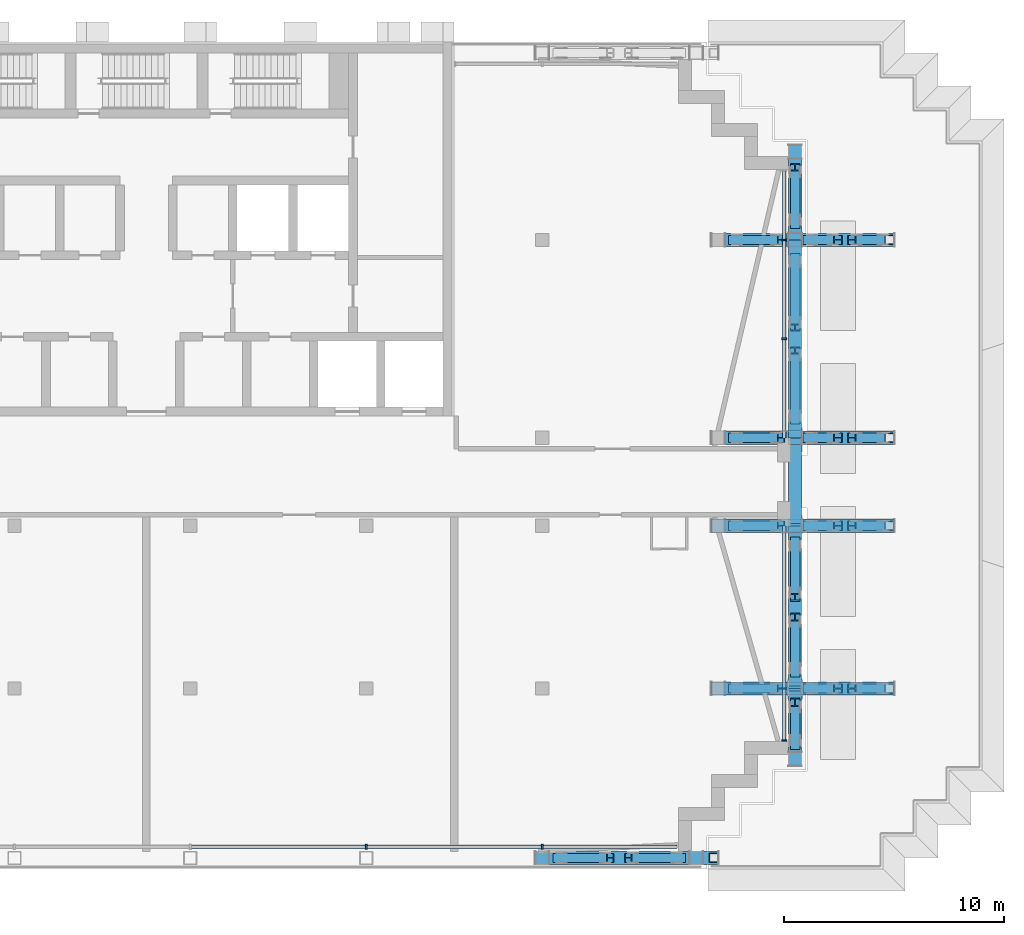
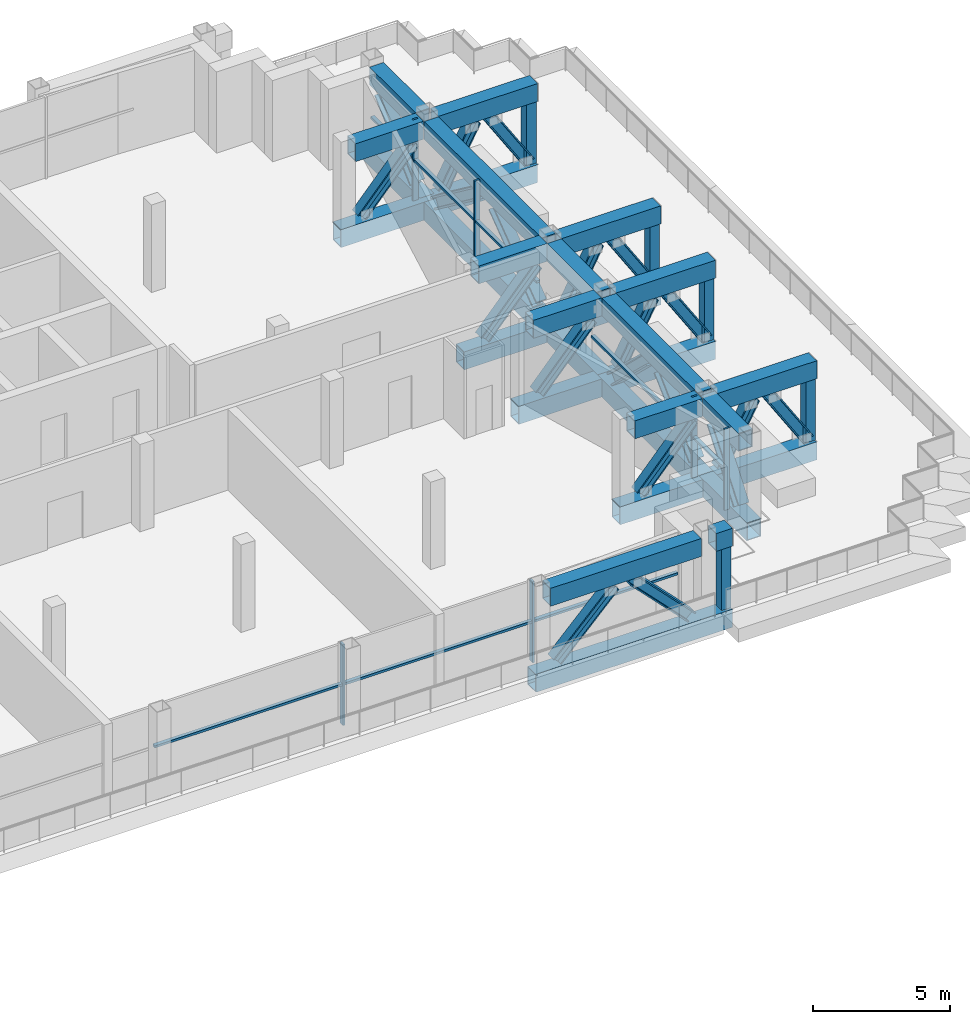
# One storey, part 3 of 21: 64 members, 3 elements without a shape of their own.
"""IFC4 building model written with IfcOpenShell, lengths in metres."""

from ifc_helpers import new_model, si_unit, direction, frame, origin, origin_2d, place, context, subcontext, project, spatial, rectangle, hollow_rectangle, i_section, extrude, material, material_profile, profile_set, type_object, element, aggregate, save


model = new_model("IFC4")

# Units and contexts
model_context = context("Model", 3, precision=1e-05, world=origin(), true_north=direction((0.0, 1.0)))
body_context = subcontext(model_context, "Body", "Model", "MODEL_VIEW")
ifc_project = project(units=[si_unit("LENGTHUNIT", "METRE"), si_unit("AREAUNIT", "SQUARE_METRE"), si_unit("VOLUMEUNIT", "CUBIC_METRE"), si_unit("PLANEANGLEUNIT", "RADIAN"), si_unit("MASSUNIT", "GRAM", prefix="KILO")], contexts=[model_context])

# Site, building, storey
site_placement = place(None, origin())
site = spatial("IfcSite", under=ifc_project, at=site_placement, CompositionType="ELEMENT")
building_placement = place(site_placement, origin())
building = spatial("IfcBuilding", under=site, at=building_placement, Name="Vidyagriha Tower", CompositionType="ELEMENT")
storey_placement = place(building_placement, frame((0.0, 0.0, 203.699951171875)))
storey = spatial("IfcBuildingStorey", under=building, at=storey_placement, Name="L52", CompositionType="ELEMENT", Elevation=203.699951171875)

# Members
ifc_material_1 = material(Name="Steel ASTM A572 Grade 50", Category="steel")
ifc_material_profile_1 = material_profile(ifc_material_1, hollow_rectangle(XDim=0.60009765625, YDim=0.800048828125, WallThickness=0.034912109375, at=origin_2d()), Name="BOX 800x600x35")
ifc_profile_set_1 = profile_set([ifc_material_profile_1], Name="Steel ASTM A572 Grade 50")
member_type_1 = type_object("IfcMemberType", Name="Belt truss chord BOX 800x600x35", PredefinedType="CHORD", material=ifc_profile_set_1)
member_1_placement = place(storey_placement, frame((29.5, -12.89990234375, -0.39990234375), z_axis=(0.0, 1.0, 0.0), x_axis=(-1.0, 0.0, 0.0)))
element("IfcMember", 1, at=member_1_placement, inside=storey, type_object=member_type_1, Name="st-truss-L52-B08-B00", PredefinedType="CHORD", context=body_context, shape_type="SweptSolid", body=[
    extrude(hollow_rectangle(XDim=0.60009765625, YDim=0.800048828125, WallThickness=0.034912109375, at=origin_2d()), origin(), (0.0, 0.0, 1.0), 3.5),
])
member_2_placement = place(storey_placement, frame((29.5, -12.280517578125, 3.219970703125), z_axis=(0.0, 1.0, 0.0), x_axis=(-1.0, 0.0, 0.0)))
element("IfcMember", 2, at=member_2_placement, inside=storey, type_object=member_type_1, Name="st-truss-L52-B08-T00", PredefinedType="CHORD", context=body_context, shape_type="SweptSolid", body=[
    extrude(hollow_rectangle(XDim=0.60009765625, YDim=0.800048828125, WallThickness=0.034912109375, at=origin_2d()), origin(), (0.0, 0.0, 1.0), 2.775634765625),
])
member_3_placement = place(storey_placement, frame((29.5, -9.39990234375, -0.39990234375), z_axis=(0.0, 1.0, 0.0), x_axis=(-1.0, 0.0, 0.0)))
element("IfcMember", 3, at=member_3_placement, inside=storey, type_object=member_type_1, Name="st-truss-L52-B08-B01", PredefinedType="CHORD", context=body_context, shape_type="SweptSolid", body=[
    extrude(hollow_rectangle(XDim=0.60009765625, YDim=0.800048828125, WallThickness=0.034912109375, at=origin_2d()), origin(), (0.0, 0.0, 1.0), 7.39990234375),
])
member_4_placement = place(storey_placement, frame((29.5, -9.294921875, 3.219970703125), z_axis=(0.0, 1.0, 0.0), x_axis=(-1.0, 0.0, 0.0)))
element("IfcMember", 4, at=member_4_placement, inside=storey, type_object=member_type_1, Name="st-truss-L52-B08-T01", PredefinedType="CHORD", context=body_context, shape_type="SweptSolid", body=[
    extrude(hollow_rectangle(XDim=0.60009765625, YDim=0.800048828125, WallThickness=0.034912109375, at=origin_2d()), origin(), (0.0, 0.0, 1.0), 6.975830078125),
])
member_5_placement = place(storey_placement, frame((29.5, -2.0, -0.39990234375), z_axis=(0.0, 1.0, 0.0), x_axis=(-1.0, 0.0, 0.0)))
element("IfcMember", 5, at=member_5_placement, inside=storey, type_object=member_type_1, Name="st-truss-L52-B08-B02", PredefinedType="CHORD", context=body_context, shape_type="SweptSolid", body=[
    extrude(hollow_rectangle(XDim=0.60009765625, YDim=0.800048828125, WallThickness=0.034912109375, at=origin_2d()), origin(), (0.0, 0.0, 1.0), 4.0),
])
member_6_placement = place(storey_placement, frame((29.5, -1.89501953125, 3.219970703125), z_axis=(0.0, 1.0, 0.0), x_axis=(-1.0, 0.0, 0.0)))
element("IfcMember", 6, at=member_6_placement, inside=storey, type_object=member_type_1, Name="st-truss-L52-B08-T02", PredefinedType="CHORD", context=body_context, shape_type="SweptSolid", body=[
    extrude(hollow_rectangle(XDim=0.60009765625, YDim=0.800048828125, WallThickness=0.034912109375, at=origin_2d()), origin(), (0.0, 0.0, 1.0), 3.594970703125),
])
member_7_placement = place(storey_placement, frame((29.5, 2.0, -0.39990234375), z_axis=(0.0, 1.0, 0.0), x_axis=(-1.0, 0.0, 0.0)))
element("IfcMember", 7, at=member_7_placement, inside=storey, type_object=member_type_1, Name="st-truss-L52-B08-B03", PredefinedType="CHORD", context=body_context, shape_type="SweptSolid", body=[
    extrude(hollow_rectangle(XDim=0.60009765625, YDim=0.800048828125, WallThickness=0.034912109375, at=origin_2d()), origin(), (0.0, 0.0, 1.0), 9.0),
])
member_8_placement = place(storey_placement, frame((29.5, 2.10498046875, 3.219970703125), z_axis=(0.0, 1.0, 0.0), x_axis=(-1.0, 0.0, 0.0)))
element("IfcMember", 8, at=member_8_placement, inside=storey, type_object=member_type_1, Name="st-truss-L52-B08-T03", PredefinedType="CHORD", context=body_context, shape_type="SweptSolid", body=[
    extrude(hollow_rectangle(XDim=0.60009765625, YDim=0.800048828125, WallThickness=0.034912109375, at=origin_2d()), origin(), (0.0, 0.0, 1.0), 8.575927734375),
])
member_9_placement = place(storey_placement, frame((29.5, 11.0, -0.39990234375), z_axis=(0.0, 1.0, 0.0), x_axis=(-1.0, 0.0, 0.0)))
element("IfcMember", 9, at=member_9_placement, inside=storey, type_object=member_type_1, Name="st-truss-L52-B08-B04", PredefinedType="CHORD", context=body_context, shape_type="SweptSolid", body=[
    extrude(hollow_rectangle(XDim=0.60009765625, YDim=0.800048828125, WallThickness=0.034912109375, at=origin_2d()), origin(), (0.0, 0.0, 1.0), 4.300048828125),
])
member_10_placement = place(storey_placement, frame((29.5, 11.319580078125, 3.219970703125), z_axis=(0.0, 1.0, 0.0), x_axis=(-1.0, 0.0, 0.0)))
element("IfcMember", 10, at=member_10_placement, inside=storey, type_object=member_type_1, Name="st-truss-L52-B08-T04", PredefinedType="CHORD", context=body_context, shape_type="SweptSolid", body=[
    extrude(hollow_rectangle(XDim=0.60009765625, YDim=0.800048828125, WallThickness=0.034912109375, at=origin_2d()), origin(), (0.0, 0.0, 1.0), 3.36083984375),
])
ifc_material_2 = material(Name="Steel ASTM A913 Grade 65", Category="steel")
ifc_material_profile_2 = material_profile(ifc_material_2, i_section(OverallWidth=0.43701171875, OverallDepth=0.51318359375, WebThickness=0.046142578125, FlangeThickness=0.071533203125, at=origin_2d()), Name="W14X550")
ifc_profile_set_2 = profile_set([ifc_material_profile_2], Name="Steel ASTM A913 Grade 65")
member_type_2 = type_object("IfcMemberType", Name="Belt truss diagonal W14X550", PredefinedType="BRACE", material=ifc_profile_set_2)
member_11_placement = place(storey_placement, frame((29.5, -11.976806640625, 0.157958984375), z_axis=(0.0, 0.615068117904, 0.788473975688), x_axis=(-1.0, 0.0, 0.0)))
element("IfcMember", 11, at=member_11_placement, inside=storey, type_object=member_type_2, Name="st-truss-L52-B08-D000", PredefinedType="BRACE", context=body_context, shape_type="SweptSolid", body=[
    extrude(i_section(OverallWidth=0.43701171875, OverallDepth=0.51318359375, WebThickness=0.046142578125, FlangeThickness=0.071533203125, at=origin_2d()), origin(), (0.0, 0.0, 1.0), 3.17626953125),
])
for number, where, z_axis, x_axis, name in (
    (12, (29.5, -8.7060546875, 0.185546875), (0.0, 0.72287369809, 0.690980185396), (-1.0, 0.0, 0.0), "st-truss-L52-B08-D010"),
    (13, (29.5, -5.256103515625, 2.634521484375), (0.0, 0.72287369809, -0.690980185396), (-1.0, 0.0, 0.0), "st-truss-L52-B08-D011"),
):
    element("IfcMember", number, at=place(storey_placement, frame(where, z_axis=z_axis, x_axis=x_axis)), inside=storey, type_object=member_type_2, Name=name, PredefinedType="BRACE", context=body_context, shape_type="SweptSolid", body=[
        extrude(i_section(OverallWidth=0.43701171875, OverallDepth=0.51318359375, WebThickness=0.046142578125, FlangeThickness=0.071533203125, at=origin_2d()), origin(), (0.0, 0.0, 1.0), 3.544189453125),
    ])
for number, where, z_axis, x_axis, name in (
    (14, (29.5, 2.772705078125, 0.205078125), (0.0, 0.799224829468, 0.601032172153), (-1.0, 0.0, 0.0), "st-truss-L52-B08-D030"),
    (15, (29.5, 7.022705078125, 2.614990234375), (0.0, 0.799224829468, -0.601032172153), (-1.0, 0.0, 0.0), "st-truss-L52-B08-D031"),
):
    element("IfcMember", number, at=place(storey_placement, frame(where, z_axis=z_axis, x_axis=x_axis)), inside=storey, type_object=member_type_2, Name=name, PredefinedType="BRACE", context=body_context, shape_type="SweptSolid", body=[
        extrude(i_section(OverallWidth=0.43701171875, OverallDepth=0.51318359375, WebThickness=0.046142578125, FlangeThickness=0.071533203125, at=origin_2d()), origin(), (0.0, 0.0, 1.0), 4.009521484375),
    ])
member_12_placement = place(storey_placement, frame((29.5, 11.698974609375, 0.18701171875), z_axis=(0.0, 0.728611292967, 0.684927429558), x_axis=(-1.0, 0.0, 0.0)))
element("IfcMember", 16, at=member_12_placement, inside=storey, type_object=member_type_2, Name="st-truss-L52-B08-D040", PredefinedType="BRACE", context=body_context, shape_type="SweptSolid", body=[
    extrude(i_section(OverallWidth=0.43701171875, OverallDepth=0.51318359375, WebThickness=0.046142578125, FlangeThickness=0.071533203125, at=origin_2d()), origin(), (0.0, 0.0, 1.0), 3.5712890625),
])

# Curtain wall, members
ifc_material_3 = material(Name="Aluminium and glass curtain wall", Category="aluminium")
curtain_wall_type = type_object("IfcCurtainWallType", Name="Plant louvre wall", PredefinedType="USERDEFINED", material=ifc_material_3)
curtain_wall_1_placement = place(storey_placement, origin())
curtain_wall_1 = element("IfcCurtainWall", 17, at=curtain_wall_1_placement, inside=storey, type_object=curtain_wall_type, Name="CW7 plant louvre wall", ObjectType="STICK GLAZING", PredefinedType="USERDEFINED")
ifc_material_4 = material(Name="Aluminium black anodised", Category="aluminium")
ifc_material_profile_3 = material_profile(ifc_material_4, rectangle(XDim=0.219970703125, YDim=0.080078125, at=origin_2d()), Name="Mullion 80x220 black aluminium")
ifc_profile_set_3 = profile_set([ifc_material_profile_3], Name="Aluminium black anodised")
member_type_3 = type_object("IfcMemberType", Name="Mullion 80x220 black aluminium", PredefinedType="MULLION", material=ifc_profile_set_3)
member_13_placement = place(storey_placement, frame((10.0, -16.60009765625, 0.0), z_axis=(0.0, 0.0, 1.0), x_axis=(0.0, 1.0, 0.0)))
member_13 = element("IfcMember", 18, at=member_13_placement, type_object=member_type_3, Name="CW7 mullion 6", PredefinedType="MULLION", context=body_context, shape_type="SweptSolid", body=[
    extrude(rectangle(XDim=0.219970703125, YDim=0.080078125, at=origin_2d()), origin(), (0.0, 0.0, 1.0), 3.6201171875),
])
member_14_placement = place(storey_placement, frame((18.0, -16.60009765625, 0.0), z_axis=(0.0, 0.0, 1.0), x_axis=(0.0, 1.0, 0.0)))
member_14 = element("IfcMember", 19, at=member_14_placement, type_object=member_type_3, Name="CW7 mullion 7", PredefinedType="MULLION", context=body_context, shape_type="SweptSolid", body=[
    extrude(rectangle(XDim=0.219970703125, YDim=0.080078125, at=origin_2d()), origin(), (0.0, 0.0, 1.0), 3.6201171875),
])

curtain_wall_2_placement = place(storey_placement, origin())
curtain_wall_2 = element("IfcCurtainWall", 20, at=curtain_wall_2_placement, inside=storey, type_object=curtain_wall_type, Name="CW7 plant louvre wall", ObjectType="STICK GLAZING", PredefinedType="USERDEFINED")
member_15_placement = place(storey_placement, frame((29.0, -11.760009765625, 0.0), z_axis=(0.0, 0.0, 1.0), x_axis=(-1.0, 0.0, 0.0)))
member_15 = element("IfcMember", 21, at=member_15_placement, type_object=member_type_3, Name="CW7 mullion 1", PredefinedType="MULLION", context=body_context, shape_type="SweptSolid", body=[
    extrude(rectangle(XDim=0.219970703125, YDim=0.080078125, at=origin_2d()), origin(), (0.0, 0.0, 1.0), 3.6201171875),
])
member_16_placement = place(storey_placement, frame((29.0, -9.39990234375, 0.0), z_axis=(0.0, 0.0, 1.0), x_axis=(-1.0, 0.0, 0.0)))
member_16 = element("IfcMember", 22, at=member_16_placement, type_object=member_type_3, Name="CW7 mullion 2", PredefinedType="MULLION", context=body_context, shape_type="SweptSolid", body=[
    extrude(rectangle(XDim=0.219970703125, YDim=0.080078125, at=origin_2d()), origin(), (0.0, 0.0, 1.0), 3.6201171875),
])

curtain_wall_3_placement = place(storey_placement, origin())
curtain_wall_3 = element("IfcCurtainWall", 23, at=curtain_wall_3_placement, inside=storey, type_object=curtain_wall_type, Name="CW7 plant louvre wall", ObjectType="STICK GLAZING", PredefinedType="USERDEFINED")
member_17_placement = place(storey_placement, frame((29.0, 6.5, 0.0), z_axis=(0.0, 0.0, 1.0), x_axis=(-1.0, 0.0, 0.0)))
member_17 = element("IfcMember", 24, at=member_17_placement, type_object=member_type_3, Name="CW7 mullion 2", PredefinedType="MULLION", context=body_context, shape_type="SweptSolid", body=[
    extrude(rectangle(XDim=0.219970703125, YDim=0.080078125, at=origin_2d()), origin(), (0.0, 0.0, 1.0), 3.6201171875),
])
member_18_placement = place(storey_placement, frame((29.0, 11.0, 0.0), z_axis=(0.0, 0.0, 1.0), x_axis=(-1.0, 0.0, 0.0)))
member_18 = element("IfcMember", 25, at=member_18_placement, type_object=member_type_3, Name="CW7 mullion 3", PredefinedType="MULLION", context=body_context, shape_type="SweptSolid", body=[
    extrude(rectangle(XDim=0.219970703125, YDim=0.080078125, at=origin_2d()), origin(), (0.0, 0.0, 1.0), 3.6201171875),
])

# Members
ifc_material_5 = material(Name="Steel ASTM A572 Grade 50", Category="steel")
ifc_material_profile_4 = material_profile(ifc_material_5, hollow_rectangle(XDim=0.60009765625, YDim=0.800048828125, WallThickness=0.034912109375, at=origin_2d()), Name="BOX 800x600x35")
ifc_profile_set_4 = profile_set([ifc_material_profile_4], Name="Steel ASTM A572 Grade 50")
member_type_4 = type_object("IfcMemberType", Name="Transfer truss chord BOX 800x600x35", PredefinedType="CHORD", material=ifc_profile_set_4)
member_19_placement = place(storey_placement, frame((17.699951171875, -17.10009765625, -0.39990234375), z_axis=(1.0, 0.0, 0.0), x_axis=(0.0, 1.0, 0.0)))
element("IfcMember", 26, at=member_19_placement, inside=storey, type_object=member_type_4, Name="st-truss-L52-T00-B00", PredefinedType="CHORD", context=body_context, shape_type="SweptSolid", body=[
    extrude(hollow_rectangle(XDim=0.60009765625, YDim=0.800048828125, WallThickness=0.034912109375, at=origin_2d()), origin(), (0.0, 0.0, 1.0), 8.300048828125),
])
member_20_placement = place(storey_placement, frame((18.319580078125, -17.10009765625, 3.219970703125), z_axis=(1.0, 0.0, 0.0), x_axis=(0.0, 1.0, 0.0)))
element("IfcMember", 27, at=member_20_placement, inside=storey, type_object=member_type_4, Name="st-truss-L52-T00-T00", PredefinedType="CHORD", context=body_context, shape_type="SweptSolid", body=[
    extrude(hollow_rectangle(XDim=0.60009765625, YDim=0.800048828125, WallThickness=0.034912109375, at=origin_2d()), origin(), (0.0, 0.0, 1.0), 6.36083984375),
])
member_21_placement = place(storey_placement, frame((25.319580078125, -17.10009765625, 3.219970703125), z_axis=(1.0, 0.0, 0.0), x_axis=(0.0, 1.0, 0.0)))
element("IfcMember", 28, at=member_21_placement, inside=storey, type_object=member_type_4, Name="st-truss-L52-T00-T01", PredefinedType="CHORD", context=body_context, shape_type="SweptSolid", body=[
    extrude(hollow_rectangle(XDim=0.60009765625, YDim=0.800048828125, WallThickness=0.034912109375, at=origin_2d()), origin(), (0.0, 0.0, 1.0), 0.680419921875),
])
member_22_placement = place(storey_placement, frame((25.699951171875, -9.39990234375, -0.39990234375), z_axis=(1.0, 0.0, 0.0), x_axis=(0.0, 1.0, 0.0)))
element("IfcMember", 29, at=member_22_placement, inside=storey, type_object=member_type_4, Name="st-truss-L52-T01-B00", PredefinedType="CHORD", context=body_context, shape_type="SweptSolid", body=[
    extrude(hollow_rectangle(XDim=0.60009765625, YDim=0.800048828125, WallThickness=0.034912109375, at=origin_2d()), origin(), (0.0, 0.0, 1.0), 8.300048828125),
])
member_23_placement = place(storey_placement, frame((26.319580078125, -9.39990234375, 3.219970703125), z_axis=(1.0, 0.0, 0.0), x_axis=(0.0, 1.0, 0.0)))
element("IfcMember", 30, at=member_23_placement, inside=storey, type_object=member_type_4, Name="st-truss-L52-T01-T00", PredefinedType="CHORD", context=body_context, shape_type="SweptSolid", body=[
    extrude(hollow_rectangle(XDim=0.60009765625, YDim=0.800048828125, WallThickness=0.034912109375, at=origin_2d()), origin(), (0.0, 0.0, 1.0), 2.86083984375),
])
member_24_placement = place(storey_placement, frame((29.819580078125, -9.39990234375, 3.219970703125), z_axis=(1.0, 0.0, 0.0), x_axis=(0.0, 1.0, 0.0)))
element("IfcMember", 31, at=member_24_placement, inside=storey, type_object=member_type_4, Name="st-truss-L52-T01-T01", PredefinedType="CHORD", context=body_context, shape_type="SweptSolid", body=[
    extrude(hollow_rectangle(XDim=0.60009765625, YDim=0.800048828125, WallThickness=0.034912109375, at=origin_2d()), origin(), (0.0, 0.0, 1.0), 4.180419921875),
])
member_25_placement = place(storey_placement, frame((25.699951171875, -2.0, -0.39990234375), z_axis=(1.0, 0.0, 0.0), x_axis=(0.0, 1.0, 0.0)))
element("IfcMember", 32, at=member_25_placement, inside=storey, type_object=member_type_4, Name="st-truss-L52-T02-B00", PredefinedType="CHORD", context=body_context, shape_type="SweptSolid", body=[
    extrude(hollow_rectangle(XDim=0.60009765625, YDim=0.800048828125, WallThickness=0.034912109375, at=origin_2d()), origin(), (0.0, 0.0, 1.0), 8.300048828125),
])
member_26_placement = place(storey_placement, frame((26.319580078125, -2.0, 3.219970703125), z_axis=(1.0, 0.0, 0.0), x_axis=(0.0, 1.0, 0.0)))
element("IfcMember", 33, at=member_26_placement, inside=storey, type_object=member_type_4, Name="st-truss-L52-T02-T00", PredefinedType="CHORD", context=body_context, shape_type="SweptSolid", body=[
    extrude(hollow_rectangle(XDim=0.60009765625, YDim=0.800048828125, WallThickness=0.034912109375, at=origin_2d()), origin(), (0.0, 0.0, 1.0), 2.88037109375),
])
member_27_placement = place(storey_placement, frame((29.819580078125, -2.0, 3.219970703125), z_axis=(1.0, 0.0, 0.0), x_axis=(0.0, 1.0, 0.0)))
element("IfcMember", 34, at=member_27_placement, inside=storey, type_object=member_type_4, Name="st-truss-L52-T02-T01", PredefinedType="CHORD", context=body_context, shape_type="SweptSolid", body=[
    extrude(hollow_rectangle(XDim=0.60009765625, YDim=0.800048828125, WallThickness=0.034912109375, at=origin_2d()), origin(), (0.0, 0.0, 1.0), 4.180419921875),
])
member_28_placement = place(storey_placement, frame((25.699951171875, 2.0, -0.39990234375), z_axis=(1.0, 0.0, 0.0), x_axis=(0.0, 1.0, 0.0)))
element("IfcMember", 35, at=member_28_placement, inside=storey, type_object=member_type_4, Name="st-truss-L52-T03-B00", PredefinedType="CHORD", context=body_context, shape_type="SweptSolid", body=[
    extrude(hollow_rectangle(XDim=0.60009765625, YDim=0.800048828125, WallThickness=0.034912109375, at=origin_2d()), origin(), (0.0, 0.0, 1.0), 8.300048828125),
])
member_29_placement = place(storey_placement, frame((26.319580078125, 2.0, 3.219970703125), z_axis=(1.0, 0.0, 0.0), x_axis=(0.0, 1.0, 0.0)))
element("IfcMember", 36, at=member_29_placement, inside=storey, type_object=member_type_4, Name="st-truss-L52-T03-T00", PredefinedType="CHORD", context=body_context, shape_type="SweptSolid", body=[
    extrude(hollow_rectangle(XDim=0.60009765625, YDim=0.800048828125, WallThickness=0.034912109375, at=origin_2d()), origin(), (0.0, 0.0, 1.0), 2.88037109375),
])
member_30_placement = place(storey_placement, frame((29.819580078125, 2.0, 3.219970703125), z_axis=(1.0, 0.0, 0.0), x_axis=(0.0, 1.0, 0.0)))
element("IfcMember", 37, at=member_30_placement, inside=storey, type_object=member_type_4, Name="st-truss-L52-T03-T01", PredefinedType="CHORD", context=body_context, shape_type="SweptSolid", body=[
    extrude(hollow_rectangle(XDim=0.60009765625, YDim=0.800048828125, WallThickness=0.034912109375, at=origin_2d()), origin(), (0.0, 0.0, 1.0), 4.180419921875),
])
member_31_placement = place(storey_placement, frame((25.699951171875, 11.0, -0.39990234375), z_axis=(1.0, 0.0, 0.0), x_axis=(0.0, 1.0, 0.0)))
element("IfcMember", 38, at=member_31_placement, inside=storey, type_object=member_type_4, Name="st-truss-L52-T04-B00", PredefinedType="CHORD", context=body_context, shape_type="SweptSolid", body=[
    extrude(hollow_rectangle(XDim=0.60009765625, YDim=0.800048828125, WallThickness=0.034912109375, at=origin_2d()), origin(), (0.0, 0.0, 1.0), 8.300048828125),
])
member_32_placement = place(storey_placement, frame((26.319580078125, 11.0, 3.219970703125), z_axis=(1.0, 0.0, 0.0), x_axis=(0.0, 1.0, 0.0)))
element("IfcMember", 39, at=member_32_placement, inside=storey, type_object=member_type_4, Name="st-truss-L52-T04-T00", PredefinedType="CHORD", context=body_context, shape_type="SweptSolid", body=[
    extrude(hollow_rectangle(XDim=0.60009765625, YDim=0.800048828125, WallThickness=0.034912109375, at=origin_2d()), origin(), (0.0, 0.0, 1.0), 2.86083984375),
])
member_33_placement = place(storey_placement, frame((29.819580078125, 11.0, 3.219970703125), z_axis=(1.0, 0.0, 0.0), x_axis=(0.0, 1.0, 0.0)))
element("IfcMember", 40, at=member_33_placement, inside=storey, type_object=member_type_4, Name="st-truss-L52-T04-T01", PredefinedType="CHORD", context=body_context, shape_type="SweptSolid", body=[
    extrude(hollow_rectangle(XDim=0.60009765625, YDim=0.800048828125, WallThickness=0.034912109375, at=origin_2d()), origin(), (0.0, 0.0, 1.0), 4.180419921875),
])
ifc_material_6 = material(Name="Steel ASTM A913 Grade 65", Category="steel")
ifc_material_profile_5 = material_profile(ifc_material_6, i_section(OverallWidth=0.421630859375, OverallDepth=0.46484375, WebThickness=0.030029296875, FlangeThickness=0.052978515625, at=origin_2d()), Name="W14X398")
ifc_profile_set_5 = profile_set([ifc_material_profile_5], Name="Steel ASTM A913 Grade 65")
member_type_5 = type_object("IfcMemberType", Name="Transfer truss diagonal W14X398", PredefinedType="BRACE", material=ifc_profile_set_5)
for number, where, z_axis, x_axis, name in (
    (41, (18.658203125, -17.10009765625, 0.162353515625), (0.69819079846, 0.0, 0.71591173265), (0.0, 1.0, 0.0), "st-truss-L52-T00-D000"),
    (42, (21.908203125, -17.10009765625, 2.65771484375), (0.69819079846, 0.0, -0.71591173265), (0.0, 1.0, 0.0), "st-truss-L52-T00-D001"),
):
    element("IfcMember", number, at=place(storey_placement, frame(where, z_axis=z_axis, x_axis=x_axis)), inside=storey, type_object=member_type_5, Name=name, PredefinedType="BRACE", context=body_context, shape_type="SweptSolid", body=[
        extrude(i_section(OverallWidth=0.421630859375, OverallDepth=0.46484375, WebThickness=0.030029296875, FlangeThickness=0.052978515625, at=origin_2d()), origin(), (0.0, 0.0, 1.0), 3.485595703125),
    ])
member_34_placement = place(storey_placement, frame((26.63671875, -9.39990234375, 0.154296875), z_axis=(0.66338805673, 0.0, 0.748275541621), x_axis=(0.0, 1.0, 0.0)))
element("IfcMember", 43, at=member_34_placement, inside=storey, type_object=member_type_5, Name="st-truss-L52-T01-D000", PredefinedType="BRACE", context=body_context, shape_type="SweptSolid", body=[
    extrude(i_section(OverallWidth=0.421630859375, OverallDepth=0.46484375, WebThickness=0.030029296875, FlangeThickness=0.052978515625, at=origin_2d()), origin(), (0.0, 0.0, 1.0), 3.3564453125),
])
member_35_placement = place(storey_placement, frame((30.05810546875, -9.39990234375, 0.109130859375), z_axis=(0.469573127906, 0.0, 0.882893582233), x_axis=(0.0, 1.0, 0.0)))
element("IfcMember", 44, at=member_35_placement, inside=storey, type_object=member_type_5, Name="st-truss-L52-T01-D010", PredefinedType="BRACE", context=body_context, shape_type="SweptSolid", body=[
    extrude(i_section(OverallWidth=0.421630859375, OverallDepth=0.46484375, WebThickness=0.030029296875, FlangeThickness=0.052978515625, at=origin_2d()), origin(), (0.0, 0.0, 1.0), 2.947021484375),
])
member_36_placement = place(storey_placement, frame((32.079833984375, -9.39990234375, 2.695068359375), z_axis=(0.538014874168, 0.0, -0.842935344599), x_axis=(0.0, 1.0, 0.0)))
element("IfcMember", 45, at=member_36_placement, inside=storey, type_object=member_type_5, Name="st-truss-L52-T01-D011", PredefinedType="BRACE", context=body_context, shape_type="SweptSolid", body=[
    extrude(i_section(OverallWidth=0.421630859375, OverallDepth=0.46484375, WebThickness=0.030029296875, FlangeThickness=0.052978515625, at=origin_2d()), origin(), (0.0, 0.0, 1.0), 3.049072265625),
])
member_37_placement = place(storey_placement, frame((26.63671875, -2.0, 0.154296875), z_axis=(0.66338805673, 0.0, 0.748275541621), x_axis=(0.0, 1.0, 0.0)))
element("IfcMember", 46, at=member_37_placement, inside=storey, type_object=member_type_5, Name="st-truss-L52-T02-D000", PredefinedType="BRACE", context=body_context, shape_type="SweptSolid", body=[
    extrude(i_section(OverallWidth=0.421630859375, OverallDepth=0.46484375, WebThickness=0.030029296875, FlangeThickness=0.052978515625, at=origin_2d()), origin(), (0.0, 0.0, 1.0), 3.3564453125),
])
member_38_placement = place(storey_placement, frame((30.05810546875, -2.0, 0.109130859375), z_axis=(0.469573127906, 0.0, 0.882893582233), x_axis=(0.0, 1.0, 0.0)))
element("IfcMember", 47, at=member_38_placement, inside=storey, type_object=member_type_5, Name="st-truss-L52-T02-D010", PredefinedType="BRACE", context=body_context, shape_type="SweptSolid", body=[
    extrude(i_section(OverallWidth=0.421630859375, OverallDepth=0.46484375, WebThickness=0.030029296875, FlangeThickness=0.052978515625, at=origin_2d()), origin(), (0.0, 0.0, 1.0), 2.947021484375),
])
member_39_placement = place(storey_placement, frame((32.079833984375, -2.0, 2.695068359375), z_axis=(0.538014874168, 0.0, -0.842935344599), x_axis=(0.0, 1.0, 0.0)))
element("IfcMember", 48, at=member_39_placement, inside=storey, type_object=member_type_5, Name="st-truss-L52-T02-D011", PredefinedType="BRACE", context=body_context, shape_type="SweptSolid", body=[
    extrude(i_section(OverallWidth=0.421630859375, OverallDepth=0.46484375, WebThickness=0.030029296875, FlangeThickness=0.052978515625, at=origin_2d()), origin(), (0.0, 0.0, 1.0), 3.049072265625),
])
member_40_placement = place(storey_placement, frame((26.63671875, 2.0, 0.154296875), z_axis=(0.66338805673, 0.0, 0.748275541621), x_axis=(0.0, 1.0, 0.0)))
element("IfcMember", 49, at=member_40_placement, inside=storey, type_object=member_type_5, Name="st-truss-L52-T03-D000", PredefinedType="BRACE", context=body_context, shape_type="SweptSolid", body=[
    extrude(i_section(OverallWidth=0.421630859375, OverallDepth=0.46484375, WebThickness=0.030029296875, FlangeThickness=0.052978515625, at=origin_2d()), origin(), (0.0, 0.0, 1.0), 3.3564453125),
])
member_41_placement = place(storey_placement, frame((30.05810546875, 2.0, 0.109130859375), z_axis=(0.469573127906, 0.0, 0.882893582233), x_axis=(0.0, 1.0, 0.0)))
element("IfcMember", 50, at=member_41_placement, inside=storey, type_object=member_type_5, Name="st-truss-L52-T03-D010", PredefinedType="BRACE", context=body_context, shape_type="SweptSolid", body=[
    extrude(i_section(OverallWidth=0.421630859375, OverallDepth=0.46484375, WebThickness=0.030029296875, FlangeThickness=0.052978515625, at=origin_2d()), origin(), (0.0, 0.0, 1.0), 2.947021484375),
])
member_42_placement = place(storey_placement, frame((32.079833984375, 2.0, 2.695068359375), z_axis=(0.538014874168, 0.0, -0.842935344599), x_axis=(0.0, 1.0, 0.0)))
element("IfcMember", 51, at=member_42_placement, inside=storey, type_object=member_type_5, Name="st-truss-L52-T03-D011", PredefinedType="BRACE", context=body_context, shape_type="SweptSolid", body=[
    extrude(i_section(OverallWidth=0.421630859375, OverallDepth=0.46484375, WebThickness=0.030029296875, FlangeThickness=0.052978515625, at=origin_2d()), origin(), (0.0, 0.0, 1.0), 3.049072265625),
])
member_43_placement = place(storey_placement, frame((26.63671875, 11.0, 0.154296875), z_axis=(0.66338805673, 0.0, 0.748275541621), x_axis=(0.0, 1.0, 0.0)))
element("IfcMember", 52, at=member_43_placement, inside=storey, type_object=member_type_5, Name="st-truss-L52-T04-D000", PredefinedType="BRACE", context=body_context, shape_type="SweptSolid", body=[
    extrude(i_section(OverallWidth=0.421630859375, OverallDepth=0.46484375, WebThickness=0.030029296875, FlangeThickness=0.052978515625, at=origin_2d()), origin(), (0.0, 0.0, 1.0), 3.3564453125),
])
member_44_placement = place(storey_placement, frame((30.05810546875, 11.0, 0.109130859375), z_axis=(0.469573127906, 0.0, 0.882893582233), x_axis=(0.0, 1.0, 0.0)))
element("IfcMember", 53, at=member_44_placement, inside=storey, type_object=member_type_5, Name="st-truss-L52-T04-D010", PredefinedType="BRACE", context=body_context, shape_type="SweptSolid", body=[
    extrude(i_section(OverallWidth=0.421630859375, OverallDepth=0.46484375, WebThickness=0.030029296875, FlangeThickness=0.052978515625, at=origin_2d()), origin(), (0.0, 0.0, 1.0), 2.947021484375),
])
member_45_placement = place(storey_placement, frame((32.079833984375, 11.0, 2.695068359375), z_axis=(0.538014874168, 0.0, -0.842935344599), x_axis=(0.0, 1.0, 0.0)))
element("IfcMember", 54, at=member_45_placement, inside=storey, type_object=member_type_5, Name="st-truss-L52-T04-D011", PredefinedType="BRACE", context=body_context, shape_type="SweptSolid", body=[
    extrude(i_section(OverallWidth=0.421630859375, OverallDepth=0.46484375, WebThickness=0.030029296875, FlangeThickness=0.052978515625, at=origin_2d()), origin(), (0.0, 0.0, 1.0), 3.049072265625),
])
ifc_material_7 = material(Name="Steel ASTM A500 Grade C", Category="steel")
ifc_material_profile_6 = material_profile(ifc_material_7, hollow_rectangle(XDim=0.406494140625, YDim=0.406494140625, WallThickness=0.017822265625, at=origin_2d()), Name="HSS16X16X3/4")
ifc_profile_set_6 = profile_set([ifc_material_profile_6], Name="Steel ASTM A500 Grade C")
member_type_6 = type_object("IfcMemberType", Name="Transfer truss post HSS16X16X3/4", PredefinedType="POST", material=ifc_profile_set_6)
for number, where, name in (
    (55, (25.796875, -17.10009765625, 0.01953125), "st-truss-L52-T00-P02"),
    (56, (33.796875, -9.39990234375, 0.01953125), "st-truss-L52-T01-P02"),
    (57, (33.796875, -2.0, 0.01953125), "st-truss-L52-T02-P02"),
    (58, (33.796875, 2.0, 0.01953125), "st-truss-L52-T03-P02"),
    (59, (33.796875, 11.0, 0.01953125), "st-truss-L52-T04-P02"),
):
    element("IfcMember", number, at=place(storey_placement, frame(where)), inside=storey, type_object=member_type_6, Name=name, PredefinedType="POST", context=body_context, shape_type="SweptSolid", body=[
        extrude(hollow_rectangle(XDim=0.406494140625, YDim=0.406494140625, WallThickness=0.017822265625, at=origin_2d()), origin(), (0.0, 0.0, 1.0), 2.781005859375),
    ])

# Member
ifc_material_8 = material(Name="Aluminium black anodised", Category="aluminium")
ifc_material_profile_7 = material_profile(ifc_material_8, rectangle(XDim=0.159912109375, YDim=0.10009765625, at=origin_2d()), Name="Transom 100x160 black aluminium")
ifc_profile_set_7 = profile_set([ifc_material_profile_7], Name="Aluminium black anodised")
member_type_7 = type_object("IfcMemberType", Name="Transom 100x160 black aluminium", PredefinedType="USERDEFINED", material=ifc_profile_set_7)
member_46_placement = place(storey_placement, frame((2.0400390625, -16.60009765625, 1.81005859375), z_axis=(1.0, 0.0, 0.0), x_axis=(0.0, 1.0, 0.0)))
member_46 = element("IfcMember", 60, at=member_46_placement, type_object=member_type_7, Name="CW7 transom 5.1", ObjectType="TRANSOM", PredefinedType="USERDEFINED", context=body_context, shape_type="SweptSolid", body=[
    extrude(rectangle(XDim=0.159912109375, YDim=0.10009765625, at=origin_2d()), origin(), (0.0, 0.0, 1.0), 7.919921875),
])

member_47_placement = place(storey_placement, frame((10.0400390625, -16.60009765625, 1.81005859375), z_axis=(1.0, 0.0, 0.0), x_axis=(0.0, 1.0, 0.0)))
member_47 = element("IfcMember", 61, at=member_47_placement, type_object=member_type_7, Name="CW7 transom 6.1", ObjectType="TRANSOM", PredefinedType="USERDEFINED", context=body_context, shape_type="SweptSolid", body=[
    extrude(rectangle(XDim=0.159912109375, YDim=0.10009765625, at=origin_2d()), origin(), (0.0, 0.0, 1.0), 7.919921875),
])

member_48_placement = place(storey_placement, frame((18.0400390625, -16.60009765625, 1.81005859375), z_axis=(1.0, 0.0, 0.0), x_axis=(0.0, 1.0, 0.0)))
member_48 = element("IfcMember", 62, at=member_48_placement, type_object=member_type_7, Name="CW7 transom 7.1", ObjectType="TRANSOM", PredefinedType="USERDEFINED", context=body_context, shape_type="SweptSolid", body=[
    extrude(rectangle(XDim=0.159912109375, YDim=0.10009765625, at=origin_2d()), origin(), (0.0, 0.0, 1.0), 6.080078125),
])

aggregate(curtain_wall_1, [member_13, member_14, member_46, member_47, member_48])

member_49_placement = place(storey_placement, frame((29.0, -11.719970703125, 1.81005859375), z_axis=(0.0, 1.0, 0.0), x_axis=(-1.0, 0.0, 0.0)))
member_49 = element("IfcMember", 63, at=member_49_placement, type_object=member_type_7, Name="CW7 transom 1.1", ObjectType="TRANSOM", PredefinedType="USERDEFINED", context=body_context, shape_type="SweptSolid", body=[
    extrude(rectangle(XDim=0.159912109375, YDim=0.10009765625, at=origin_2d()), origin(), (0.0, 0.0, 1.0), 2.280029296875),
])

member_50_placement = place(storey_placement, frame((29.0, -9.360107421875, 1.81005859375), z_axis=(0.0, 1.0, 0.0), x_axis=(-1.0, 0.0, 0.0)))
member_50 = element("IfcMember", 64, at=member_50_placement, type_object=member_type_7, Name="CW7 transom 2.1", ObjectType="TRANSOM", PredefinedType="USERDEFINED", context=body_context, shape_type="SweptSolid", body=[
    extrude(rectangle(XDim=0.159912109375, YDim=0.10009765625, at=origin_2d()), origin(), (0.0, 0.0, 1.0), 7.360107421875),
])

aggregate(curtain_wall_2, [member_15, member_16, member_49, member_50])

member_51_placement = place(storey_placement, frame((29.0, 2.0, 1.81005859375), z_axis=(0.0, 1.0, 0.0), x_axis=(-1.0, 0.0, 0.0)))
member_51 = element("IfcMember", 65, at=member_51_placement, type_object=member_type_7, Name="CW7 transom 1.1", ObjectType="TRANSOM", PredefinedType="USERDEFINED", context=body_context, shape_type="SweptSolid", body=[
    extrude(rectangle(XDim=0.159912109375, YDim=0.10009765625, at=origin_2d()), origin(), (0.0, 0.0, 1.0), 4.4599609375),
])

member_52_placement = place(storey_placement, frame((29.0, 6.5400390625, 1.81005859375), z_axis=(0.0, 1.0, 0.0), x_axis=(-1.0, 0.0, 0.0)))
member_52 = element("IfcMember", 66, at=member_52_placement, type_object=member_type_7, Name="CW7 transom 2.1", ObjectType="TRANSOM", PredefinedType="USERDEFINED", context=body_context, shape_type="SweptSolid", body=[
    extrude(rectangle(XDim=0.159912109375, YDim=0.10009765625, at=origin_2d()), origin(), (0.0, 0.0, 1.0), 4.419921875),
])

member_53_placement = place(storey_placement, frame((29.0, 11.0400390625, 1.81005859375), z_axis=(0.0, 1.0, 0.0), x_axis=(-1.0, 0.0, 0.0)))
member_53 = element("IfcMember", 67, at=member_53_placement, type_object=member_type_7, Name="CW7 transom 3.1", ObjectType="TRANSOM", PredefinedType="USERDEFINED", context=body_context, shape_type="SweptSolid", body=[
    extrude(rectangle(XDim=0.159912109375, YDim=0.10009765625, at=origin_2d()), origin(), (0.0, 0.0, 1.0), 3.080078125),
])

aggregate(curtain_wall_3, [member_17, member_18, member_51, member_52, member_53])

save(model, "model.ifc")
